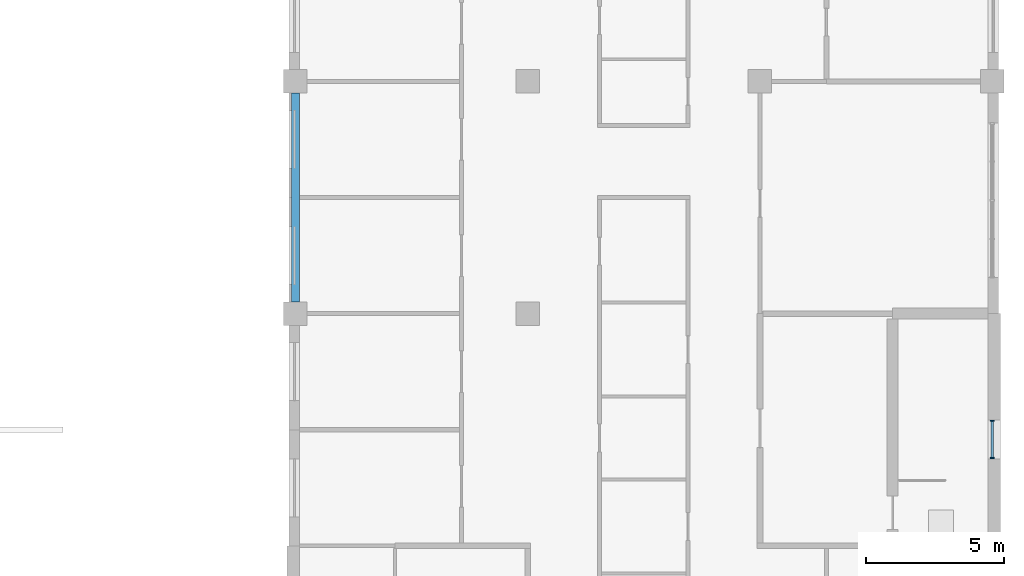
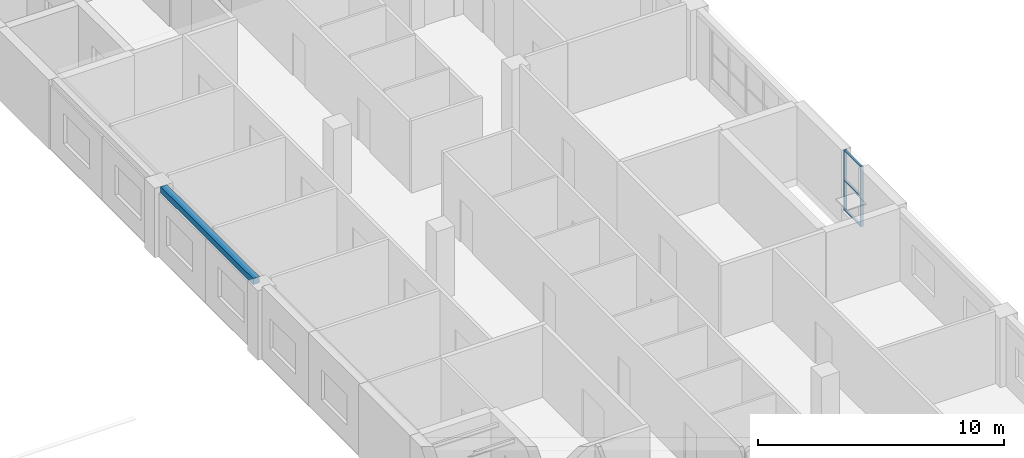
# One storey, part 38 of 94: 5 members, 1 beam, 1 element without a shape of its own.
"""IFC4 building model written with IfcOpenShell, lengths in metres."""

import ifcopenshell
import ifcopenshell.guid

model = None  # the IFC model being written
_history = None  # IfcOwnerHistory: only IFC2X3 demands one
_inside = {}  # id of a spatial element -> (the spatial element, [elements in it])
_under = {}  # id of a project, library or spatial element -> (it, [spatial elements below it])
_declared = {}  # id of a project -> (the project, [libraries it declares])
_typed = {}  # id of a type object -> (the type object, [elements of that type])
_made_of = {}  # id of a material, layer set ... -> (it, [elements and type objects made of it])


def new_model(schema):
    """Start an empty IFC model of exactly this schema.

    Asked for "IFC4X3", IfcOpenShell would pick the latest addendum, in which some entities
    have other attributes; the version numbers below select the first issue.
    IFC2X3 requires an IfcOwnerHistory on every rooted entity: one is made here for all.
    """
    global model, _history
    if schema == "IFC4X3":
        model = ifcopenshell.file(schema_version=(4, 3, 0, 0))
    else:
        model = ifcopenshell.file(schema=schema)
    _inside.clear()
    _under.clear()
    _declared.clear()
    _typed.clear()
    _made_of.clear()
    _history = None
    if model.schema == "IFC2X3":
        org = make("IfcOrganization", Name="unknown")
        user = make(
            "IfcPersonAndOrganization",
            ThePerson=make("IfcPerson", FamilyName="unknown"),
            TheOrganization=org,
        )
        app = make(
            "IfcApplication",
            ApplicationDeveloper=org,
            Version="unknown",
            ApplicationFullName="unknown",
            ApplicationIdentifier="unknown",
        )
        _history = make(
            "IfcOwnerHistory",
            OwningUser=user,
            OwningApplication=app,
            ChangeAction="ADDED",
            CreationDate=0,
        )
    return model


def make(cls, **values):
    """One entity of the class cls with the attributes given. An attribute that is None is left unset."""
    return model.create_entity(
        cls, **{name: value for name, value in values.items() if value is not None}
    )


def rooted(cls, **values):
    """An entity with a GlobalId (a new one), such as an element, a storey or a relation."""
    return make(cls, GlobalId=ifcopenshell.guid.new(), OwnerHistory=_history, **values)


def si_unit(unit_type, name, prefix=None):
    """IfcSIUnit, for example si_unit("LENGTHUNIT", "METRE", prefix="MILLI")."""
    return make("IfcSIUnit", UnitType=unit_type, Prefix=prefix, Name=name)


def assignment(units):
    """IfcUnitAssignment: the units of a project."""
    return None if units is None else make("IfcUnitAssignment", Units=units)


def point(xyz):
    """IfcCartesianPoint."""
    return None if xyz is None else make("IfcCartesianPoint", Coordinates=xyz)


def direction(xyz):
    """IfcDirection."""
    return None if xyz is None else make("IfcDirection", DirectionRatios=xyz)


def frame(location, z_axis=None, x_axis=None):
    """IfcAxis2Placement3D, a coordinate frame: its origin and axes. An axis left out is left unset."""
    return make(
        "IfcAxis2Placement3D",
        Location=point(location),
        Axis=direction(z_axis),
        RefDirection=direction(x_axis),
    )


def frame_2d(location, x_axis=None):
    """IfcAxis2Placement2D, a coordinate frame in the plane: its origin and x axis."""
    return make(
        "IfcAxis2Placement2D", Location=point(location), RefDirection=direction(x_axis)
    )


def origin():
    """The frame at (0, 0, 0) with its axes left unset."""
    return frame((0.0, 0.0, 0.0))


def origin_2d():
    """The frame at (0, 0) in the plane with its x axis left unset."""
    return frame_2d((0.0, 0.0))


def place(relative_to, where):
    """IfcLocalPlacement: puts the frame where relative to a parent placement (None: the world)."""
    return make(
        "IfcLocalPlacement", PlacementRelTo=relative_to, RelativePlacement=where
    )


def context(
    kind, dimensions, precision=None, world=None, true_north=None, identifier=None
):
    """IfcGeometricRepresentationContext, for example the 3D "Model" context."""
    return make(
        "IfcGeometricRepresentationContext",
        ContextIdentifier=identifier,
        ContextType=kind,
        CoordinateSpaceDimension=dimensions,
        Precision=precision,
        WorldCoordinateSystem=world,
        TrueNorth=true_north,
    )


def subcontext(parent, identifier, kind, view, scale=None):
    """IfcGeometricRepresentationSubContext, for example "Body" below "Model"."""
    return make(
        "IfcGeometricRepresentationSubContext",
        ContextIdentifier=identifier,
        ContextType=kind,
        ParentContext=parent,
        TargetScale=scale,
        TargetView=view,
    )


def project(units=None, contexts=None):
    """IfcProject with its units and contexts."""
    return rooted(
        "IfcProject",
        Name="project",
        RepresentationContexts=contexts,
        UnitsInContext=assignment(units),
    )


def spatial(cls, under=None, at=None, **own):
    """A site, building, storey or space (cls), placed at a placement, below another one or the project."""
    s = rooted(cls, ObjectPlacement=at, **own)
    if under is not None:
        _under.setdefault(under.id(), (under, []))[1].append(s)
    return s


def profile(cls, at=None, kind="AREA", **sizes):
    """A parametric profile (cls). Its sizes go by their IFC names, for example OverallWidth=200.0."""
    return make(cls, ProfileType=kind, Position=at, **sizes)


def rectangle(**sizes):
    """IfcRectangleProfileDef."""
    return profile("IfcRectangleProfileDef", **sizes)


def extrude(swept, where, along, depth):
    """IfcExtrudedAreaSolid: the profile swept, set in the frame where, extruded along a direction by depth."""
    return make(
        "IfcExtrudedAreaSolid",
        SweptArea=swept,
        Position=where,
        ExtrudedDirection=direction(along),
        Depth=depth,
    )


def shape(context_of_items, identifier, shape_type, items):
    """IfcShapeRepresentation: the items that make up one representation, for example the "Body"."""
    return make(
        "IfcShapeRepresentation",
        ContextOfItems=context_of_items,
        RepresentationIdentifier=identifier,
        RepresentationType=shape_type,
        Items=items,
    )


def material(Name=None, Category=None):
    """IfcMaterial."""
    return make("IfcMaterial", Name=Name, Category=Category)


def material_profile(
    of_material, cross_section, Name=None, Category=None, Priority=None
):
    """IfcMaterialProfile: a cross section and its material."""
    return make(
        "IfcMaterialProfile",
        Name=Name,
        Material=of_material,
        Profile=cross_section,
        Priority=Priority,
        Category=Category,
    )


def profile_set(profiles, Name=None, composite=None):
    """IfcMaterialProfileSet."""
    return make(
        "IfcMaterialProfileSet",
        Name=Name,
        MaterialProfiles=profiles,
        CompositeProfile=composite,
    )


def made_of(thing, what):
    """Note that an element or type object is made of a material, layer set ...; save() writes the relation."""
    if what is not None:
        _made_of.setdefault(what.id(), (what, []))[1].append(thing)
    return thing


def type_object(cls, material=None, **own):
    """A type object (cls), such as IfcWallType, which elements share."""
    return made_of(rooted(cls, **own), material)


def element(
    cls,
    number,
    at=None,
    inside=None,
    cuts=None,
    type_object=None,
    material=None,
    context=None,
    identifier="Body",
    shape_type=None,
    held_by="IfcProductDefinitionShape",
    body=None,
    shapes=None,
    **own,
):
    """One element of the class cls, such as IfcWall. Its Tag is "e" and its number.

    at: its placement. inside: the storey or other place that contains it. cuts: it is an
    opening in that element (IfcRelVoidsElement). A single representation is given by context,
    identifier, shape_type and body (its items); several are given by shapes. held_by: the class
    of the entity that holds the representations. save() writes the other relations.
    """
    e = rooted(cls, Tag="e%d" % number, ObjectPlacement=at, **own)
    if body is not None:
        shapes = [shape(context, identifier, shape_type, body)]
    if shapes is not None:
        e.Representation = make(held_by, Representations=shapes)
    if inside is not None:
        _inside.setdefault(inside.id(), (inside, []))[1].append(e)
    if cuts is not None:
        rooted(
            "IfcRelVoidsElement", RelatingBuildingElement=cuts, RelatedOpeningElement=e
        )
    if type_object is not None:
        _typed.setdefault(type_object.id(), (type_object, []))[1].append(e)
    return made_of(e, material)


def aggregate(whole, parts):
    """IfcRelAggregates: a whole, such as a stair, and the parts it consists of."""
    return rooted("IfcRelAggregates", RelatingObject=whole, RelatedObjects=parts)


def save(model, path):
    """Write the relations noted so far, then the file.

    IfcRelAggregates (storeys below a building ...), IfcRelContainedInSpatialStructure (elements
    in a storey), IfcRelDefinesByType, IfcRelAssociatesMaterial and IfcRelDeclares: one each for
    every whole, place, type object, material and project.
    """
    for whole, parts in _under.values():
        aggregate(whole, parts)
    for where, things in _inside.values():
        rooted(
            "IfcRelContainedInSpatialStructure",
            RelatedElements=things,
            RelatingStructure=where,
        )
    for kind, things in _typed.values():
        rooted("IfcRelDefinesByType", RelatedObjects=things, RelatingType=kind)
    for what, things in _made_of.values():
        rooted("IfcRelAssociatesMaterial", RelatedObjects=things, RelatingMaterial=what)
    for by, libraries in _declared.values():
        rooted("IfcRelDeclares", RelatingContext=by, RelatedDefinitions=libraries)
    model.write(path)


model = new_model("IFC4")

# Units and contexts
model_context = context("Model", 3, precision=1e-05, world=origin(), true_north=direction((0.0, 1.0)))
body_context = subcontext(model_context, "Body", "Model", "MODEL_VIEW")
ifc_project = project(units=[si_unit("LENGTHUNIT", "METRE"), si_unit("AREAUNIT", "SQUARE_METRE"), si_unit("VOLUMEUNIT", "CUBIC_METRE"), si_unit("PLANEANGLEUNIT", "RADIAN"), si_unit("MASSUNIT", "GRAM", prefix="KILO")], contexts=[model_context])

# Site, building, storey
site_placement = place(None, origin())
site = spatial("IfcSite", under=ifc_project, at=site_placement, CompositionType="ELEMENT")
building_placement = place(site_placement, origin())
building = spatial("IfcBuilding", under=site, at=building_placement, Name="Yavir Park General Hospital", CompositionType="ELEMENT")
storey_placement = place(building_placement, frame((0.0, 0.0, 4.5)))
storey = spatial("IfcBuildingStorey", under=building, at=storey_placement, Name="L01", CompositionType="ELEMENT", Elevation=4.5)

# Beam
ifc_material_1 = material(Name="Concrete C35/45", Category="concrete")
ifc_material_profile_1 = material_profile(ifc_material_1, rectangle(XDim=0.300048828125, YDim=0.300048828125, at=origin_2d()), Name="RC300x300")
ifc_profile_set_1 = profile_set([ifc_material_profile_1], Name="Concrete C35/45")
beam_type = type_object("IfcBeamType", Name="RC BEAM 300x300 edge beam", PredefinedType="BEAM", material=ifc_profile_set_1)
beam_placement = place(storey_placement, frame((142.800048828125, 59.22509765625, 3.300048828125), z_axis=(0.0, 1.0, 0.0), x_axis=(-1.0, 0.0, 0.0)))
element("IfcBeam", 1, at=beam_placement, inside=storey, type_object=beam_type, Name="B:EDGE:L01:049", PredefinedType="BEAM", context=body_context, shape_type="SweptSolid", body=[
    extrude(rectangle(XDim=0.300048828125, YDim=0.300048828125, at=origin_2d()), origin(), (0.0, 0.0, 1.0), 7.5498046875),
])

# Curtain wall, members
ifc_material_2 = material(Name="Aluminium curtain wall frame with insulated glazing", Category="aluminium")
curtain_wall_type = type_object("IfcCurtainWallType", Name="Stair light slot, podium, 3000 high, 1400 module", PredefinedType="NOTDEFINED", material=ifc_material_2)
curtain_wall_placement = place(storey_placement, origin())
curtain_wall = element("IfcCurtainWall", 2, at=curtain_wall_placement, inside=storey, type_object=curtain_wall_type, Name="CW56 L01-030", PredefinedType="NOTDEFINED")
ifc_material_3 = material(Name="Aluminium", Category="aluminium")
ifc_material_profile_2 = material_profile(ifc_material_3, rectangle(XDim=0.139892578125, YDim=0.050048828125, at=origin_2d()), Name="AL 50x140")
ifc_profile_set_2 = profile_set([ifc_material_profile_2], Name="Aluminium")
member_type_1 = type_object("IfcMemberType", Name="Stair light slot, podium, 3000 high mullion 50 x 140", PredefinedType="MULLION", material=ifc_profile_set_2)
member_1_placement = place(storey_placement, frame((168.0, 53.574951171875, 0.60009765625), z_axis=(0.0, 0.0, 1.0), x_axis=(-1.0, 0.0, 0.0)))
member_1 = element("IfcMember", 3, at=member_1_placement, type_object=member_type_1, Name="CW56 mullion 1", PredefinedType="MULLION", context=body_context, shape_type="SweptSolid", body=[
    extrude(rectangle(XDim=0.139892578125, YDim=0.050048828125, at=origin_2d()), origin(), (0.0, 0.0, 1.0), 3.0),
])
member_2_placement = place(storey_placement, frame((168.0, 54.925048828125, 0.60009765625), z_axis=(0.0, 0.0, 1.0), x_axis=(-1.0, 0.0, 0.0)))
member_2 = element("IfcMember", 4, at=member_2_placement, type_object=member_type_1, Name="CW56 mullion 2", PredefinedType="MULLION", context=body_context, shape_type="SweptSolid", body=[
    extrude(rectangle(XDim=0.139892578125, YDim=0.050048828125, at=origin_2d()), origin(), (0.0, 0.0, 1.0), 3.0),
])
ifc_material_4 = material(Name="Aluminium", Category="aluminium")
ifc_material_profile_3 = material_profile(ifc_material_4, rectangle(XDim=0.10009765625, YDim=0.050048828125, at=origin_2d()), Name="AL 100x50")
ifc_profile_set_3 = profile_set([ifc_material_profile_3], Name="Aluminium")
member_type_2 = type_object("IfcMemberType", Name="Stair light slot, podium, 3000 high transom 50 x 100", PredefinedType="MULLION", material=ifc_profile_set_3)
member_3_placement = place(storey_placement, frame((168.0, 53.60009765625, 0.625), z_axis=(0.0, 1.0, 0.0), x_axis=(-1.0, 0.0, 0.0)))
member_3 = element("IfcMember", 5, at=member_3_placement, type_object=member_type_2, Name="CW56 transom 1.1", PredefinedType="MULLION", context=body_context, shape_type="SweptSolid", body=[
    extrude(rectangle(XDim=0.10009765625, YDim=0.050048828125, at=origin_2d()), origin(), (0.0, 0.0, 1.0), 1.2998046875),
])
member_4_placement = place(storey_placement, frame((168.0, 53.60009765625, 2.10009765625), z_axis=(0.0, 1.0, 0.0), x_axis=(-1.0, 0.0, 0.0)))
member_4 = element("IfcMember", 6, at=member_4_placement, type_object=member_type_2, Name="CW56 transom 1.2", PredefinedType="MULLION", context=body_context, shape_type="SweptSolid", body=[
    extrude(rectangle(XDim=0.10009765625, YDim=0.050048828125, at=origin_2d()), origin(), (0.0, 0.0, 1.0), 1.2998046875),
])
member_5_placement = place(storey_placement, frame((168.0, 53.60009765625, 3.574951171875), z_axis=(0.0, 1.0, 0.0), x_axis=(-1.0, 0.0, 0.0)))
member_5 = element("IfcMember", 7, at=member_5_placement, type_object=member_type_2, Name="CW56 transom 1.3", PredefinedType="MULLION", context=body_context, shape_type="SweptSolid", body=[
    extrude(rectangle(XDim=0.10009765625, YDim=0.050048828125, at=origin_2d()), origin(), (0.0, 0.0, 1.0), 1.2998046875),
])
aggregate(curtain_wall, [member_1, member_2, member_3, member_4, member_5])

save(model, "model.ifc")
